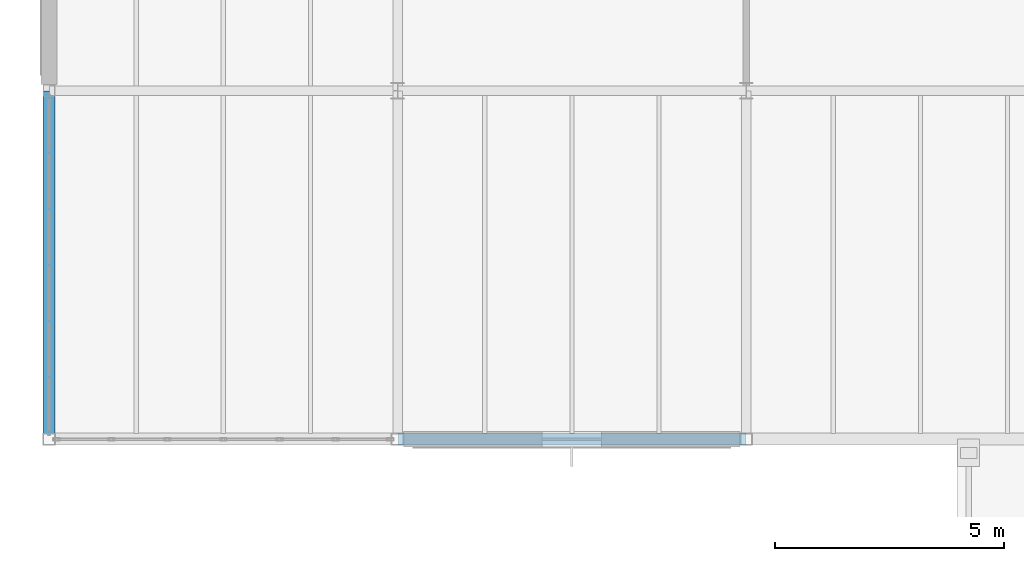
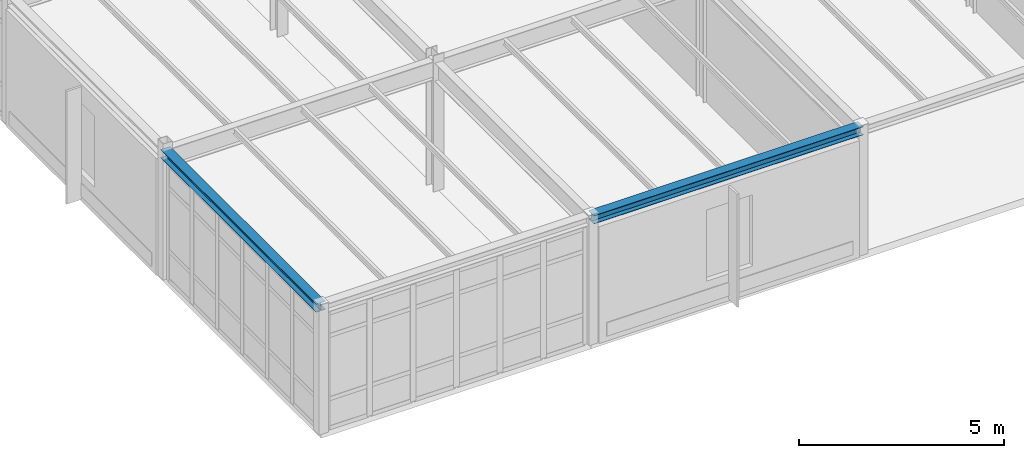
# One storey, part 58 of 189: 2 beams.
"""IFC4 building model written with IfcOpenShell, lengths in metres."""

from ifc_helpers import new_model, si_unit, direction, frame, origin, origin_2d, place, context, subcontext, project, spatial, i_section, extrude, material, material_profile, profile_set, type_object, element, save


model = new_model("IFC4")

# Units and contexts
model_context = context("Model", 3, precision=1e-05, world=origin(), true_north=direction((0.0, 1.0)))
body_context = subcontext(model_context, "Body", "Model", "MODEL_VIEW")
ifc_project = project(units=[si_unit("LENGTHUNIT", "METRE"), si_unit("AREAUNIT", "SQUARE_METRE"), si_unit("VOLUMEUNIT", "CUBIC_METRE"), si_unit("PLANEANGLEUNIT", "RADIAN"), si_unit("MASSUNIT", "GRAM", prefix="KILO")], contexts=[model_context])

# Site, building, storey
site_placement = place(None, origin())
site = spatial("IfcSite", under=ifc_project, at=site_placement, CompositionType="ELEMENT")
building_placement = place(site_placement, origin())
building = spatial("IfcBuilding", under=site, at=building_placement, Name="Montecoro Central Library", CompositionType="ELEMENT")
storey_placement = place(building_placement, frame((0.0, 0.0, 9.179931640625)))
storey = spatial("IfcBuildingStorey", under=building, at=storey_placement, Name="L02", CompositionType="ELEMENT", Elevation=9.179931640625)

# Beams
ifc_material = material(Name="Steel S355", Category="steel")
ifc_material_profile = material_profile(ifc_material, i_section(OverallWidth=0.260009765625, OverallDepth=0.25, WebThickness=0.007568359375, FlangeThickness=0.012451171875, at=origin_2d()), Name="HEA 260")
ifc_profile_set = profile_set([ifc_material_profile], Name="Steel S355")
beam_type = type_object("IfcBeamType", Name="BM-SP-HEA260", PredefinedType="SPANDREL", material=ifc_profile_set)
for number, where, z_axis, x_axis, name in (
    (1, (12.60498046875, 73.39990234375, 3.699951171875), (1.0, 0.0, 0.0), (0.0, 1.0, 0.0), "V4-L02-BX-23-K"),
    (2, (5.0, 73.405029296875, 3.699951171875), (0.0, 1.0, 0.0), (-1.0, 0.0, 0.0), "V4-L02-BY-1-KL"),
):
    element("IfcBeam", number, at=place(storey_placement, frame(where, z_axis=z_axis, x_axis=x_axis)), inside=storey, type_object=beam_type, Name=name, PredefinedType="SPANDREL", context=body_context, shape_type="SweptSolid", body=[
        extrude(i_section(OverallWidth=0.260009765625, OverallDepth=0.25, WebThickness=0.007568359375, FlangeThickness=0.012451171875, at=origin_2d()), origin(), (0.0, 0.0, 1.0), 7.590087890625),
    ])

save(model, "model.ifc")
